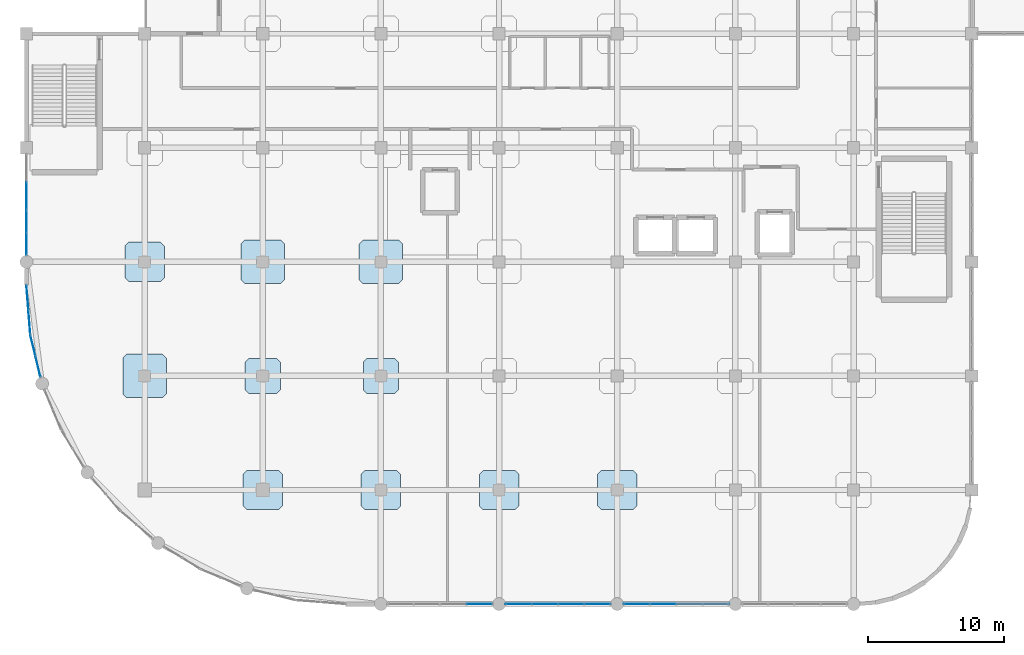
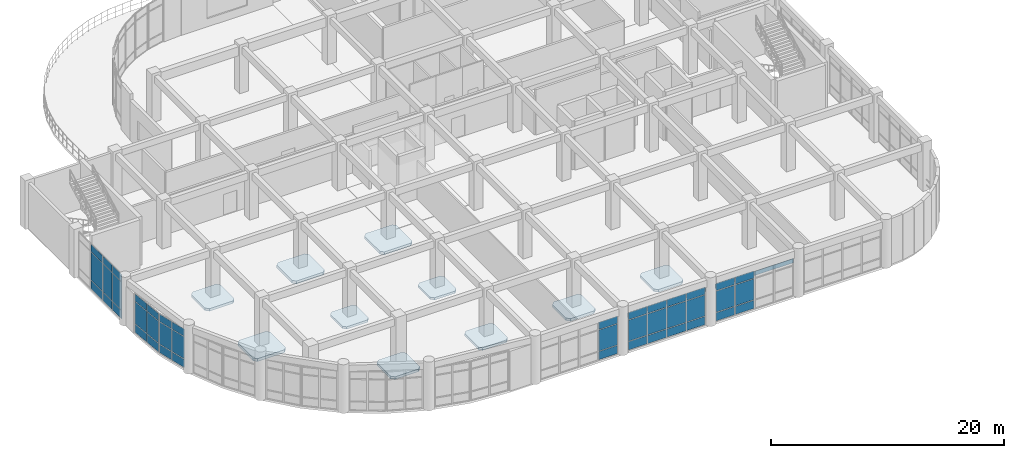
# One storey, part 86 of 120: 44 plates, 10 slabs, 7 elements without a shape of their own.
"""IFC4 building model written with IfcOpenShell, lengths in metres."""

from ifc_helpers import new_model, si_unit, derived_unit, direction, frame, origin, origin_2d, place, context, subcontext, project, spatial, polyline, rectangle, outline, extrude, material, layer, layer_set, type_object, element, aggregate, save


model = new_model("IFC4")

# Units and contexts
model_context = context("Model", 3, precision=1e-05, world=origin(), true_north=direction((0.0, 1.0)))
body_context = subcontext(model_context, "Body", "Model", "MODEL_VIEW")
ifc_project = project(units=[si_unit("LENGTHUNIT", "METRE"), si_unit("AREAUNIT", "SQUARE_METRE"), si_unit("VOLUMEUNIT", "CUBIC_METRE"), si_unit("PLANEANGLEUNIT", "RADIAN"), si_unit("MASSUNIT", "GRAM", prefix="KILO"), derived_unit("THERMALTRANSMITTANCEUNIT", [(si_unit("MASSUNIT", "GRAM", prefix="KILO"), 1), (si_unit("TIMEUNIT", "SECOND"), -3), (si_unit("THERMODYNAMICTEMPERATUREUNIT", "KELVIN"), -1)])], contexts=[model_context])

# Site, building, storey
site_placement = place(None, origin())
site = spatial("IfcSite", under=ifc_project, at=site_placement, CompositionType="ELEMENT")
building_placement = place(site_placement, origin())
building = spatial("IfcBuilding", under=site, at=building_placement, Name="Qinzheling Arcade Emporium", CompositionType="ELEMENT")
storey_placement = place(building_placement, frame((0.0, 0.0, 11.39990234375)))
storey = spatial("IfcBuildingStorey", under=building, at=storey_placement, Name="L03", CompositionType="ELEMENT", Elevation=11.39990234375)

# Slabs
ifc_material_1 = material(Name="Concrete C40", Category="concrete")
ifc_layer_1 = layer(ifc_material_1, 0.235107421875, Name="Concrete C40", Category="concrete")
ifc_layer_set_1 = layer_set([ifc_layer_1], Name="Concrete C40")
slab_type_1 = type_object("IfcSlabType", Name="Column Head Drop Panel 2600x2600x235 C40", PredefinedType="USERDEFINED", material=ifc_layer_set_1)
slab_1_placement = place(storey_placement, frame((0.0, 0.0, -0.514892578125)))
element("IfcSlab", 1, at=slab_1_placement, inside=storey, type_object=slab_type_1, Name="Column Drop Panel DP-L03-3-C", ObjectType="DROP_PANEL", PredefinedType="USERDEFINED", context=body_context, shape_type="SweptSolid", body=[
    extrude(outline(polyline([(16.3798828125, 15.5), (18.419921875, 15.5), (18.699951171875, 15.780029296875), (18.699951171875, 17.820068359375), (18.419921875, 18.10009765625), (16.3798828125, 18.10009765625), (16.10009765625, 17.820068359375), (16.10009765625, 15.780029296875), (16.3798828125, 15.5)])), origin(), (0.0, 0.0, 1.0), 0.235107421875),
])
slab_2_placement = place(storey_placement, frame((0.0, 0.0, -0.514892578125)))
element("IfcSlab", 2, at=slab_2_placement, inside=storey, type_object=slab_type_1, Name="Column Drop Panel DP-L03-4-C", ObjectType="DROP_PANEL", PredefinedType="USERDEFINED", context=body_context, shape_type="SweptSolid", body=[
    extrude(outline(polyline([(25.080078125, 15.5), (27.1201171875, 15.5), (27.39990234375, 15.780029296875), (27.39990234375, 17.820068359375), (27.1201171875, 18.10009765625), (25.080078125, 18.10009765625), (24.800048828125, 17.820068359375), (24.800048828125, 15.780029296875), (25.080078125, 15.5)])), origin(), (0.0, 0.0, 1.0), 0.235107421875),
])
ifc_layer_2 = layer(ifc_material_1, 0.27001953125, Name="Concrete C40", Category="concrete")
ifc_layer_set_2 = layer_set([ifc_layer_2], Name="Concrete C40")
slab_type_2 = type_object("IfcSlabType", Name="Column Head Drop Panel 2900x2900x270 C40", PredefinedType="USERDEFINED", material=ifc_layer_set_2)
slab_3_placement = place(storey_placement, frame((0.0, 0.0, -0.5498046875)))
element("IfcSlab", 3, at=slab_3_placement, inside=storey, type_object=slab_type_2, Name="Column Drop Panel DP-L03-2-D", ObjectType="DROP_PANEL", PredefinedType="USERDEFINED", context=body_context, shape_type="SweptSolid", body=[
    extrude(outline(polyline([(7.530029296875, 23.75), (9.8701171875, 23.75), (10.14990234375, 24.030029296875), (10.14990234375, 26.3701171875), (9.8701171875, 26.64990234375), (7.530029296875, 26.64990234375), (7.25, 26.3701171875), (7.25, 24.030029296875), (7.530029296875, 23.75)])), origin(), (0.0, 0.0, 1.0), 0.27001953125),
])
slab_4_placement = place(storey_placement, frame((0.0, 0.0, -0.5498046875)))
element("IfcSlab", 4, at=slab_4_placement, inside=storey, type_object=slab_type_2, Name="Column Drop Panel DP-L03-3-B", ObjectType="DROP_PANEL", PredefinedType="USERDEFINED", context=body_context, shape_type="SweptSolid", body=[
    extrude(outline(polyline([(16.22998046875, 6.949951171875), (18.570068359375, 6.949951171875), (18.85009765625, 7.22998046875), (18.85009765625, 9.570068359375), (18.570068359375, 9.85009765625), (16.22998046875, 9.85009765625), (15.949951171875, 9.570068359375), (15.949951171875, 7.22998046875), (16.22998046875, 6.949951171875)])), origin(), (0.0, 0.0, 1.0), 0.27001953125),
])
slab_5_placement = place(storey_placement, frame((0.0, 0.0, -0.5498046875)))
element("IfcSlab", 5, at=slab_5_placement, inside=storey, type_object=slab_type_2, Name="Column Drop Panel DP-L03-4-B", ObjectType="DROP_PANEL", PredefinedType="USERDEFINED", context=body_context, shape_type="SweptSolid", body=[
    extrude(outline(polyline([(24.929931640625, 6.949951171875), (27.27001953125, 6.949951171875), (27.550048828125, 7.22998046875), (27.550048828125, 9.570068359375), (27.27001953125, 9.85009765625), (24.929931640625, 9.85009765625), (24.64990234375, 9.570068359375), (24.64990234375, 7.22998046875), (24.929931640625, 6.949951171875)])), origin(), (0.0, 0.0, 1.0), 0.27001953125),
])
slab_6_placement = place(storey_placement, frame((0.0, 0.0, -0.5498046875)))
element("IfcSlab", 6, at=slab_6_placement, inside=storey, type_object=slab_type_2, Name="Column Drop Panel DP-L03-5-B", ObjectType="DROP_PANEL", PredefinedType="USERDEFINED", context=body_context, shape_type="SweptSolid", body=[
    extrude(outline(polyline([(33.6298828125, 6.949951171875), (35.969970703125, 6.949951171875), (36.25, 7.22998046875), (36.25, 9.570068359375), (35.969970703125, 9.85009765625), (33.6298828125, 9.85009765625), (33.35009765625, 9.570068359375), (33.35009765625, 7.22998046875), (33.6298828125, 6.949951171875)])), origin(), (0.0, 0.0, 1.0), 0.27001953125),
])
slab_7_placement = place(storey_placement, frame((0.0, 0.0, -0.5498046875)))
element("IfcSlab", 7, at=slab_7_placement, inside=storey, type_object=slab_type_2, Name="Column Drop Panel DP-L03-6-B", ObjectType="DROP_PANEL", PredefinedType="USERDEFINED", context=body_context, shape_type="SweptSolid", body=[
    extrude(outline(polyline([(42.330078125, 6.949951171875), (44.669921875, 6.949951171875), (44.949951171875, 7.22998046875), (44.949951171875, 9.570068359375), (44.669921875, 9.85009765625), (42.330078125, 9.85009765625), (42.050048828125, 9.570068359375), (42.050048828125, 7.22998046875), (42.330078125, 6.949951171875)])), origin(), (0.0, 0.0, 1.0), 0.27001953125),
])
ifc_layer_3 = layer(ifc_material_1, 0.300048828125, Name="Concrete C40", Category="concrete")
ifc_layer_set_3 = layer_set([ifc_layer_3], Name="Concrete C40")
slab_type_3 = type_object("IfcSlabType", Name="Column Head Drop Panel 3200x3200x300 C40", PredefinedType="USERDEFINED", material=ifc_layer_set_3)
slab_8_placement = place(storey_placement, frame((0.0, 0.0, -0.579833984375)))
element("IfcSlab", 8, at=slab_8_placement, inside=storey, type_object=slab_type_3, Name="Column Drop Panel DP-L03-2-C", ObjectType="DROP_PANEL", PredefinedType="USERDEFINED", context=body_context, shape_type="SweptSolid", body=[
    extrude(outline(polyline([(7.3798828125, 15.199951171875), (10.02001953125, 15.199951171875), (10.300048828125, 15.47998046875), (10.300048828125, 18.1201171875), (10.02001953125, 18.39990234375), (7.3798828125, 18.39990234375), (7.10009765625, 18.1201171875), (7.10009765625, 15.47998046875), (7.3798828125, 15.199951171875)])), origin(), (0.0, 0.0, 1.0), 0.300048828125),
])
slab_9_placement = place(storey_placement, frame((0.0, 0.0, -0.579833984375)))
element("IfcSlab", 9, at=slab_9_placement, inside=storey, type_object=slab_type_3, Name="Column Drop Panel DP-L03-3-D", ObjectType="DROP_PANEL", PredefinedType="USERDEFINED", context=body_context, shape_type="SweptSolid", body=[
    extrude(outline(polyline([(16.080078125, 23.60009765625), (18.719970703125, 23.60009765625), (19.0, 23.8798828125), (19.0, 26.52001953125), (18.719970703125, 26.800048828125), (16.080078125, 26.800048828125), (15.800048828125, 26.52001953125), (15.800048828125, 23.8798828125), (16.080078125, 23.60009765625)])), origin(), (0.0, 0.0, 1.0), 0.300048828125),
])
slab_10_placement = place(storey_placement, frame((0.0, 0.0, -0.579833984375)))
element("IfcSlab", 10, at=slab_10_placement, inside=storey, type_object=slab_type_3, Name="Column Drop Panel DP-L03-4-D", ObjectType="DROP_PANEL", PredefinedType="USERDEFINED", context=body_context, shape_type="SweptSolid", body=[
    extrude(outline(polyline([(24.780029296875, 23.60009765625), (27.419921875, 23.60009765625), (27.699951171875, 23.8798828125), (27.699951171875, 26.52001953125), (27.419921875, 26.800048828125), (24.780029296875, 26.800048828125), (24.5, 26.52001953125), (24.5, 23.8798828125), (24.780029296875, 23.60009765625)])), origin(), (0.0, 0.0, 1.0), 0.300048828125),
])

# Curtain wall, plates
ifc_material_2 = material(Name="Anodised aluminium and solar-control double glazing", Category="aluminium")
ifc_layer_4 = layer(ifc_material_2, 0.159912109375, Name="Anodised aluminium and solar-control double glazing", Category="aluminium")
ifc_layer_set_4 = layer_set([ifc_layer_4], Name="Anodised aluminium and solar-control double glazing")
curtain_wall_type_1 = type_object("IfcCurtainWallType", Name="Curved Ribbon Sales Curtain Wall", PredefinedType="NOTDEFINED", material=ifc_layer_set_4)
curtain_wall_1_placement = place(storey_placement, origin())
curtain_wall_1 = element("IfcCurtainWall", 11, at=curtain_wall_1_placement, inside=storey, type_object=curtain_wall_type_1, Name="Curtain Wall CW-L03-161", PredefinedType="NOTDEFINED")
ifc_material_3 = material(Name="Laminated solar-control double glazing", Category="glass")
ifc_layer_5 = layer(ifc_material_3, 0.02490234375, Name="Laminated solar-control double glazing", Category="glass")
ifc_layer_set_5 = layer_set([ifc_layer_5], Name="Laminated solar-control double glazing")
plate_type_1 = type_object("IfcPlateType", Name="Low-E Double Glazed Curtain Panel 25mm", PredefinedType="CURTAIN_PANEL", material=ifc_layer_set_5)
plate_1_placement = place(storey_placement, frame((0.847900390625, 17.4970703125, 0.06005859375), z_axis=(0.0, 0.0, 1.0), x_axis=(-0.233584975646, 0.972336391972, 0.0)))
plate_1 = element("IfcPlate", 12, at=plate_1_placement, type_object=plate_type_1, Name="CW02 panel 1.1", PredefinedType="CURTAIN_PANEL", context=body_context, shape_type="SweptSolid", body=[
    extrude(rectangle(XDim=1.515380859375, YDim=0.02490234375, at=origin_2d()), origin(), (0.0, 0.0, 1.0), 0.860107421875),
])
plate_2_placement = place(storey_placement, frame((0.847900390625, 17.4970703125, 0.980224609375), z_axis=(0.0, 0.0, 1.0), x_axis=(-0.233584975646, 0.972336391972, 0.0)))
plate_2 = element("IfcPlate", 13, at=plate_2_placement, type_object=plate_type_1, Name="CW02 panel 1.2", PredefinedType="CURTAIN_PANEL", context=body_context, shape_type="SweptSolid", body=[
    extrude(rectangle(XDim=1.515380859375, YDim=0.02490234375, at=origin_2d()), origin(), (0.0, 0.0, 1.0), 2.294921875),
])
plate_3_placement = place(storey_placement, frame((0.847900390625, 17.4970703125, 3.3349609375), z_axis=(0.0, 0.0, 1.0), x_axis=(-0.233584975646, 0.972336391972, 0.0)))
plate_3 = element("IfcPlate", 14, at=plate_3_placement, type_object=plate_type_1, Name="CW02 panel 1.3", PredefinedType="CURTAIN_PANEL", context=body_context, shape_type="SweptSolid", body=[
    extrude(rectangle(XDim=1.515380859375, YDim=0.02490234375, at=origin_2d()), origin(), (0.0, 0.0, 1.0), 0.760009765625),
])
plate_4_placement = place(storey_placement, frame((0.47998046875, 19.02880859375, 0.06005859375), z_axis=(0.0, 0.0, 1.0), x_axis=(-0.233584975646, 0.972336391972, 0.0)))
plate_4 = element("IfcPlate", 15, at=plate_4_placement, type_object=plate_type_1, Name="CW02 panel 2.1", PredefinedType="CURTAIN_PANEL", context=body_context, shape_type="SweptSolid", body=[
    extrude(rectangle(XDim=1.515380859375, YDim=0.02490234375, at=origin_2d()), origin(), (0.0, 0.0, 1.0), 0.860107421875),
])
plate_5_placement = place(storey_placement, frame((0.47998046875, 19.02880859375, 0.980224609375), z_axis=(0.0, 0.0, 1.0), x_axis=(-0.233584975646, 0.972336391972, 0.0)))
plate_5 = element("IfcPlate", 16, at=plate_5_placement, type_object=plate_type_1, Name="CW02 panel 2.2", PredefinedType="CURTAIN_PANEL", context=body_context, shape_type="SweptSolid", body=[
    extrude(rectangle(XDim=1.515380859375, YDim=0.02490234375, at=origin_2d()), origin(), (0.0, 0.0, 1.0), 2.294921875),
])
plate_6_placement = place(storey_placement, frame((0.47998046875, 19.02880859375, 3.3349609375), z_axis=(0.0, 0.0, 1.0), x_axis=(-0.233584975646, 0.972336391972, 0.0)))
plate_6 = element("IfcPlate", 17, at=plate_6_placement, type_object=plate_type_1, Name="CW02 panel 2.3", PredefinedType="CURTAIN_PANEL", context=body_context, shape_type="SweptSolid", body=[
    extrude(rectangle(XDim=1.515380859375, YDim=0.02490234375, at=origin_2d()), origin(), (0.0, 0.0, 1.0), 0.760009765625),
])
aggregate(curtain_wall_1, [plate_1, plate_2, plate_3, plate_4, plate_5, plate_6])

curtain_wall_2_placement = place(storey_placement, origin())
curtain_wall_2 = element("IfcCurtainWall", 18, at=curtain_wall_2_placement, inside=storey, type_object=curtain_wall_type_1, Name="Curtain Wall CW-L03-162", PredefinedType="NOTDEFINED")
ifc_layer_6 = layer(ifc_material_3, 0.02587890625, Name="Laminated solar-control double glazing", Category="glass")
ifc_layer_set_6 = layer_set([ifc_layer_6], Name="Laminated solar-control double glazing")
plate_type_2 = type_object("IfcPlateType", Name="Low-E Double Glazed Curtain Panel 26mm", PredefinedType="CURTAIN_PANEL", material=ifc_layer_set_6)
plate_7_placement = place(storey_placement, frame((0.215576171875, 20.758056640625, 0.06005859375), z_axis=(0.0, 0.0, 1.0), x_axis=(-0.078376222365, 0.996923852542, 0.0)))
plate_7 = element("IfcPlate", 19, at=plate_7_placement, type_object=plate_type_2, Name="CW02 panel 1.1", PredefinedType="CURTAIN_PANEL", context=body_context, shape_type="SweptSolid", body=[
    extrude(rectangle(XDim=1.753662109375, YDim=0.02587890625, at=origin_2d()), origin(), (0.0, 0.0, 1.0), 0.860107421875),
])
plate_8_placement = place(storey_placement, frame((0.215576171875, 20.758056640625, 0.980224609375), z_axis=(0.0, 0.0, 1.0), x_axis=(-0.078376222365, 0.996923852542, 0.0)))
plate_8 = element("IfcPlate", 20, at=plate_8_placement, type_object=plate_type_2, Name="CW02 panel 1.2", PredefinedType="CURTAIN_PANEL", context=body_context, shape_type="SweptSolid", body=[
    extrude(rectangle(XDim=1.753662109375, YDim=0.02587890625, at=origin_2d()), origin(), (0.0, 0.0, 1.0), 2.294921875),
])
plate_9_placement = place(storey_placement, frame((0.215576171875, 20.758056640625, 3.3349609375), z_axis=(0.0, 0.0, 1.0), x_axis=(-0.078376222365, 0.996923852542, 0.0)))
plate_9 = element("IfcPlate", 21, at=plate_9_placement, type_object=plate_type_2, Name="CW02 panel 1.3", PredefinedType="CURTAIN_PANEL", context=body_context, shape_type="SweptSolid", body=[
    extrude(rectangle(XDim=1.753662109375, YDim=0.02587890625, at=origin_2d()), origin(), (0.0, 0.0, 1.0), 0.760009765625),
])
plate_10_placement = place(storey_placement, frame((0.073486328125, 22.566162109375, 0.06005859375), z_axis=(0.0, 0.0, 1.0), x_axis=(-0.078376222365, 0.996923852542, 0.0)))
plate_10 = element("IfcPlate", 22, at=plate_10_placement, type_object=plate_type_2, Name="CW02 panel 2.1", PredefinedType="CURTAIN_PANEL", context=body_context, shape_type="SweptSolid", body=[
    extrude(rectangle(XDim=1.753662109375, YDim=0.02587890625, at=origin_2d()), origin(), (0.0, 0.0, 1.0), 0.860107421875),
])
plate_11_placement = place(storey_placement, frame((0.073486328125, 22.566162109375, 0.980224609375), z_axis=(0.0, 0.0, 1.0), x_axis=(-0.078376222365, 0.996923852542, 0.0)))
plate_11 = element("IfcPlate", 23, at=plate_11_placement, type_object=plate_type_2, Name="CW02 panel 2.2", PredefinedType="CURTAIN_PANEL", context=body_context, shape_type="SweptSolid", body=[
    extrude(rectangle(XDim=1.753662109375, YDim=0.02587890625, at=origin_2d()), origin(), (0.0, 0.0, 1.0), 2.294921875),
])
plate_12_placement = place(storey_placement, frame((0.073486328125, 22.566162109375, 3.3349609375), z_axis=(0.0, 0.0, 1.0), x_axis=(-0.078376222365, 0.996923852542, 0.0)))
plate_12 = element("IfcPlate", 24, at=plate_12_placement, type_object=plate_type_2, Name="CW02 panel 2.3", PredefinedType="CURTAIN_PANEL", context=body_context, shape_type="SweptSolid", body=[
    extrude(rectangle(XDim=1.753662109375, YDim=0.02587890625, at=origin_2d()), origin(), (0.0, 0.0, 1.0), 0.760009765625),
])
aggregate(curtain_wall_2, [plate_7, plate_8, plate_9, plate_10, plate_11, plate_12])

ifc_layer_7 = layer(ifc_material_2, 0.159912109375, Name="Anodised aluminium and solar-control double glazing", Category="aluminium")
ifc_layer_set_7 = layer_set([ifc_layer_7], Name="Anodised aluminium and solar-control double glazing")
curtain_wall_type_2 = type_object("IfcCurtainWallType", Name="Arcade Portal Glazed Curtain Wall", PredefinedType="NOTDEFINED", material=ifc_layer_set_7)
curtain_wall_3_placement = place(storey_placement, origin())
curtain_wall_3 = element("IfcCurtainWall", 25, at=curtain_wall_3_placement, inside=storey, type_object=curtain_wall_type_2, Name="Curtain Wall CW-L03-163", PredefinedType="NOTDEFINED")
ifc_layer_8 = layer(ifc_material_3, 0.027099609375, Name="Laminated solar-control double glazing", Category="glass")
ifc_layer_set_8 = layer_set([ifc_layer_8], Name="Laminated solar-control double glazing")
plate_type_3 = type_object("IfcPlateType", Name="Low-E Double Glazed Curtain Panel 27mm", PredefinedType="CURTAIN_PANEL", material=ifc_layer_set_8)
plate_13_placement = place(storey_placement, frame((0.0, 26.522705078125, 0.06005859375), z_axis=(0.0, 0.0, 1.0), x_axis=(0.0, 1.0, 0.0)))
plate_13 = element("IfcPlate", 26, at=plate_13_placement, type_object=plate_type_3, Name="CW05 panel 1.1", PredefinedType="CURTAIN_PANEL", context=body_context, shape_type="SweptSolid", body=[
    extrude(rectangle(XDim=1.571533203125, YDim=0.027099609375, at=origin_2d()), origin(), (0.0, 0.0, 1.0), 0.860107421875),
])
plate_14_placement = place(storey_placement, frame((0.0, 26.522705078125, 0.97998046875), z_axis=(0.0, 0.0, 1.0), x_axis=(0.0, 1.0, 0.0)))
plate_14 = element("IfcPlate", 27, at=plate_14_placement, type_object=plate_type_3, Name="CW05 panel 1.2", PredefinedType="CURTAIN_PANEL", context=body_context, shape_type="SweptSolid", body=[
    extrude(rectangle(XDim=1.571533203125, YDim=0.027099609375, at=origin_2d()), origin(), (0.0, 0.0, 1.0), 2.929931640625),
])
plate_15_placement = place(storey_placement, frame((0.0, 26.522705078125, 3.97021484375), z_axis=(0.0, 0.0, 1.0), x_axis=(0.0, 1.0, 0.0)))
plate_15 = element("IfcPlate", 28, at=plate_15_placement, type_object=plate_type_3, Name="CW05 panel 1.3", PredefinedType="CURTAIN_PANEL", context=body_context, shape_type="SweptSolid", body=[
    extrude(rectangle(XDim=1.571533203125, YDim=0.027099609375, at=origin_2d()), origin(), (0.0, 0.0, 1.0), 0.760009765625),
])
plate_16_placement = place(storey_placement, frame((0.0, 28.154296875, 0.06005859375), z_axis=(0.0, 0.0, 1.0), x_axis=(0.0, 1.0, 0.0)))
plate_16 = element("IfcPlate", 29, at=plate_16_placement, type_object=plate_type_3, Name="CW05 panel 2.1", PredefinedType="CURTAIN_PANEL", context=body_context, shape_type="SweptSolid", body=[
    extrude(rectangle(XDim=1.571533203125, YDim=0.027099609375, at=origin_2d()), origin(), (0.0, 0.0, 1.0), 0.860107421875),
])
plate_17_placement = place(storey_placement, frame((0.0, 28.154296875, 0.97998046875), z_axis=(0.0, 0.0, 1.0), x_axis=(0.0, 1.0, 0.0)))
plate_17 = element("IfcPlate", 30, at=plate_17_placement, type_object=plate_type_3, Name="CW05 panel 2.2", PredefinedType="CURTAIN_PANEL", context=body_context, shape_type="SweptSolid", body=[
    extrude(rectangle(XDim=1.571533203125, YDim=0.027099609375, at=origin_2d()), origin(), (0.0, 0.0, 1.0), 2.929931640625),
])
plate_18_placement = place(storey_placement, frame((0.0, 28.154296875, 3.97021484375), z_axis=(0.0, 0.0, 1.0), x_axis=(0.0, 1.0, 0.0)))
plate_18 = element("IfcPlate", 31, at=plate_18_placement, type_object=plate_type_3, Name="CW05 panel 2.3", PredefinedType="CURTAIN_PANEL", context=body_context, shape_type="SweptSolid", body=[
    extrude(rectangle(XDim=1.571533203125, YDim=0.027099609375, at=origin_2d()), origin(), (0.0, 0.0, 1.0), 0.760009765625),
])
aggregate(curtain_wall_3, [plate_13, plate_14, plate_15, plate_16, plate_17, plate_18])

curtain_wall_4_placement = place(storey_placement, origin())
curtain_wall_4 = element("IfcCurtainWall", 32, at=curtain_wall_4_placement, inside=storey, type_object=curtain_wall_type_2, Name="Curtain Wall CW-L03-164", PredefinedType="NOTDEFINED")
ifc_layer_9 = layer(ifc_material_3, 0.028076171875, Name="Laminated solar-control double glazing", Category="glass")
ifc_layer_set_9 = layer_set([ifc_layer_9], Name="Laminated solar-control double glazing")
plate_type_4 = type_object("IfcPlateType", Name="Low-E Double Glazed Curtain Panel 28mm", PredefinedType="CURTAIN_PANEL", material=ifc_layer_set_9)
plate_19_placement = place(storey_placement, frame((0.0, 30.052001953125, 0.06005859375), z_axis=(0.0, 0.0, 1.0), x_axis=(0.0, 1.0, 0.0)))
plate_19 = element("IfcPlate", 33, at=plate_19_placement, type_object=plate_type_4, Name="CW05 panel 1.1", PredefinedType="CURTAIN_PANEL", context=body_context, shape_type="SweptSolid", body=[
    extrude(rectangle(XDim=1.98388671875, YDim=0.028076171875, at=origin_2d()), origin(), (0.0, 0.0, 1.0), 0.860107421875),
])
plate_20_placement = place(storey_placement, frame((0.0, 30.052001953125, 0.97998046875), z_axis=(0.0, 0.0, 1.0), x_axis=(0.0, 1.0, 0.0)))
plate_20 = element("IfcPlate", 34, at=plate_20_placement, type_object=plate_type_4, Name="CW05 panel 1.2", PredefinedType="CURTAIN_PANEL", context=body_context, shape_type="SweptSolid", body=[
    extrude(rectangle(XDim=1.98388671875, YDim=0.028076171875, at=origin_2d()), origin(), (0.0, 0.0, 1.0), 2.929931640625),
])
plate_21_placement = place(storey_placement, frame((0.0, 30.052001953125, 3.97021484375), z_axis=(0.0, 0.0, 1.0), x_axis=(0.0, 1.0, 0.0)))
plate_21 = element("IfcPlate", 35, at=plate_21_placement, type_object=plate_type_4, Name="CW05 panel 1.3", PredefinedType="CURTAIN_PANEL", context=body_context, shape_type="SweptSolid", body=[
    extrude(rectangle(XDim=1.98388671875, YDim=0.028076171875, at=origin_2d()), origin(), (0.0, 0.0, 1.0), 0.760009765625),
])
aggregate(curtain_wall_4, [plate_19, plate_20, plate_21])

curtain_wall_5_placement = place(storey_placement, origin())
curtain_wall_5 = element("IfcCurtainWall", 36, at=curtain_wall_5_placement, inside=storey, type_object=curtain_wall_type_2, Name="Curtain Wall CW-L03-150", PredefinedType="NOTDEFINED")
ifc_layer_10 = layer(ifc_material_3, 0.030029296875, Name="Laminated solar-control double glazing", Category="glass")
ifc_layer_set_10 = layer_set([ifc_layer_10], Name="Laminated solar-control double glazing")
plate_type_5 = type_object("IfcPlateType", Name="Low-E Double Glazed Curtain Panel 30mm", PredefinedType="CURTAIN_PANEL", material=ifc_layer_set_10)
plate_22_placement = place(storey_placement, frame((46.8818359375, 0.0, 0.06005859375), z_axis=(0.0, 0.0, 1.0), x_axis=(-1.0, 0.0, 0.0)))
plate_22 = element("IfcPlate", 37, at=plate_22_placement, type_object=plate_type_5, Name="CW05 panel 3.1", PredefinedType="CURTAIN_PANEL", context=body_context, shape_type="SweptSolid", body=[
    extrude(rectangle(XDim=1.87646484375, YDim=0.030029296875, at=origin_2d()), origin(), (0.0, 0.0, 1.0), 0.860107421875),
])
plate_23_placement = place(storey_placement, frame((46.8818359375, 0.0, 0.97998046875), z_axis=(0.0, 0.0, 1.0), x_axis=(-1.0, 0.0, 0.0)))
plate_23 = element("IfcPlate", 38, at=plate_23_placement, type_object=plate_type_5, Name="CW05 panel 3.2", PredefinedType="CURTAIN_PANEL", context=body_context, shape_type="SweptSolid", body=[
    extrude(rectangle(XDim=1.87646484375, YDim=0.030029296875, at=origin_2d()), origin(), (0.0, 0.0, 1.0), 2.195068359375),
])
plate_24_placement = place(storey_placement, frame((46.8818359375, 0.0, 3.23486328125), z_axis=(0.0, 0.0, 1.0), x_axis=(-1.0, 0.0, 0.0)))
plate_24 = element("IfcPlate", 39, at=plate_24_placement, type_object=plate_type_5, Name="CW05 panel 3.3", PredefinedType="CURTAIN_PANEL", context=body_context, shape_type="SweptSolid", body=[
    extrude(rectangle(XDim=1.87646484375, YDim=0.030029296875, at=origin_2d()), origin(), (0.0, 0.0, 1.0), 0.760009765625),
])
plate_25_placement = place(storey_placement, frame((44.960205078125, 0.0, 0.06005859375), z_axis=(0.0, 0.0, 1.0), x_axis=(-1.0, 0.0, 0.0)))
plate_25 = element("IfcPlate", 40, at=plate_25_placement, type_object=plate_type_5, Name="CW05 panel 4.1", PredefinedType="CURTAIN_PANEL", context=body_context, shape_type="SweptSolid", body=[
    extrude(rectangle(XDim=1.846435546875, YDim=0.030029296875, at=origin_2d()), origin(), (0.0, 0.0, 1.0), 0.860107421875),
])
plate_26_placement = place(storey_placement, frame((44.960205078125, 0.0, 0.97998046875), z_axis=(0.0, 0.0, 1.0), x_axis=(-1.0, 0.0, 0.0)))
plate_26 = element("IfcPlate", 41, at=plate_26_placement, type_object=plate_type_5, Name="CW05 panel 4.2", PredefinedType="CURTAIN_PANEL", context=body_context, shape_type="SweptSolid", body=[
    extrude(rectangle(XDim=1.846435546875, YDim=0.030029296875, at=origin_2d()), origin(), (0.0, 0.0, 1.0), 2.195068359375),
])
plate_27_placement = place(storey_placement, frame((44.960205078125, 0.0, 3.23486328125), z_axis=(0.0, 0.0, 1.0), x_axis=(-1.0, 0.0, 0.0)))
plate_27 = element("IfcPlate", 42, at=plate_27_placement, type_object=plate_type_5, Name="CW05 panel 4.3", PredefinedType="CURTAIN_PANEL", context=body_context, shape_type="SweptSolid", body=[
    extrude(rectangle(XDim=1.846435546875, YDim=0.030029296875, at=origin_2d()), origin(), (0.0, 0.0, 1.0), 0.760009765625),
])
aggregate(curtain_wall_5, [plate_22, plate_23, plate_24, plate_25, plate_26, plate_27])

curtain_wall_6_placement = place(storey_placement, origin())
curtain_wall_6 = element("IfcCurtainWall", 43, at=curtain_wall_6_placement, inside=storey, type_object=curtain_wall_type_2, Name="Curtain Wall CW-L03-151", PredefinedType="NOTDEFINED")
ifc_layer_11 = layer(ifc_material_3, 0.031005859375, Name="Laminated solar-control double glazing", Category="glass")
ifc_layer_set_11 = layer_set([ifc_layer_11], Name="Laminated solar-control double glazing")
plate_type_6 = type_object("IfcPlateType", Name="Low-E Double Glazed Curtain Panel 31mm", PredefinedType="CURTAIN_PANEL", material=ifc_layer_set_11)
plate_28_placement = place(storey_placement, frame((42.039794921875, 0.0, 0.06005859375), z_axis=(0.0, 0.0, 1.0), x_axis=(-1.0, 0.0, 0.0)))
plate_28 = element("IfcPlate", 44, at=plate_28_placement, type_object=plate_type_6, Name="CW05 panel 1.1", PredefinedType="CURTAIN_PANEL", context=body_context, shape_type="SweptSolid", body=[
    extrude(rectangle(XDim=1.846435546875, YDim=0.031005859375, at=origin_2d()), origin(), (0.0, 0.0, 1.0), 0.860107421875),
])
plate_29_placement = place(storey_placement, frame((42.039794921875, 0.0, 0.97998046875), z_axis=(0.0, 0.0, 1.0), x_axis=(-1.0, 0.0, 0.0)))
plate_29 = element("IfcPlate", 45, at=plate_29_placement, type_object=plate_type_6, Name="CW05 panel 1.2", PredefinedType="CURTAIN_PANEL", context=body_context, shape_type="SweptSolid", body=[
    extrude(rectangle(XDim=1.846435546875, YDim=0.031005859375, at=origin_2d()), origin(), (0.0, 0.0, 1.0), 2.195068359375),
])
plate_30_placement = place(storey_placement, frame((42.039794921875, 0.0, 3.23486328125), z_axis=(0.0, 0.0, 1.0), x_axis=(-1.0, 0.0, 0.0)))
plate_30 = element("IfcPlate", 46, at=plate_30_placement, type_object=plate_type_6, Name="CW05 panel 1.3", PredefinedType="CURTAIN_PANEL", context=body_context, shape_type="SweptSolid", body=[
    extrude(rectangle(XDim=1.846435546875, YDim=0.031005859375, at=origin_2d()), origin(), (0.0, 0.0, 1.0), 0.760009765625),
])
plate_31_placement = place(storey_placement, frame((40.1181640625, 0.0, 0.06005859375), z_axis=(0.0, 0.0, 1.0), x_axis=(-1.0, 0.0, 0.0)))
plate_31 = element("IfcPlate", 47, at=plate_31_placement, type_object=plate_type_6, Name="CW05 panel 2.1", PredefinedType="CURTAIN_PANEL", context=body_context, shape_type="SweptSolid", body=[
    extrude(rectangle(XDim=1.87646484375, YDim=0.031005859375, at=origin_2d()), origin(), (0.0, 0.0, 1.0), 0.860107421875),
])
plate_32_placement = place(storey_placement, frame((40.1181640625, 0.0, 0.97998046875), z_axis=(0.0, 0.0, 1.0), x_axis=(-1.0, 0.0, 0.0)))
plate_32 = element("IfcPlate", 48, at=plate_32_placement, type_object=plate_type_6, Name="CW05 panel 2.2", PredefinedType="CURTAIN_PANEL", context=body_context, shape_type="SweptSolid", body=[
    extrude(rectangle(XDim=1.87646484375, YDim=0.031005859375, at=origin_2d()), origin(), (0.0, 0.0, 1.0), 2.195068359375),
])
plate_33_placement = place(storey_placement, frame((40.1181640625, 0.0, 3.23486328125), z_axis=(0.0, 0.0, 1.0), x_axis=(-1.0, 0.0, 0.0)))
plate_33 = element("IfcPlate", 49, at=plate_33_placement, type_object=plate_type_6, Name="CW05 panel 2.3", PredefinedType="CURTAIN_PANEL", context=body_context, shape_type="SweptSolid", body=[
    extrude(rectangle(XDim=1.87646484375, YDim=0.031005859375, at=origin_2d()), origin(), (0.0, 0.0, 1.0), 0.760009765625),
])
plate_34_placement = place(storey_placement, frame((38.181640625, 0.0, 0.06005859375), z_axis=(0.0, 0.0, 1.0), x_axis=(-1.0, 0.0, 0.0)))
plate_34 = element("IfcPlate", 50, at=plate_34_placement, type_object=plate_type_6, Name="CW05 panel 3.1", PredefinedType="CURTAIN_PANEL", context=body_context, shape_type="SweptSolid", body=[
    extrude(rectangle(XDim=1.87646484375, YDim=0.031005859375, at=origin_2d()), origin(), (0.0, 0.0, 1.0), 0.860107421875),
])
plate_35_placement = place(storey_placement, frame((38.181640625, 0.0, 0.97998046875), z_axis=(0.0, 0.0, 1.0), x_axis=(-1.0, 0.0, 0.0)))
plate_35 = element("IfcPlate", 51, at=plate_35_placement, type_object=plate_type_6, Name="CW05 panel 3.2", PredefinedType="CURTAIN_PANEL", context=body_context, shape_type="SweptSolid", body=[
    extrude(rectangle(XDim=1.87646484375, YDim=0.031005859375, at=origin_2d()), origin(), (0.0, 0.0, 1.0), 2.195068359375),
])
plate_36_placement = place(storey_placement, frame((38.181640625, 0.0, 3.23486328125), z_axis=(0.0, 0.0, 1.0), x_axis=(-1.0, 0.0, 0.0)))
plate_36 = element("IfcPlate", 52, at=plate_36_placement, type_object=plate_type_6, Name="CW05 panel 3.3", PredefinedType="CURTAIN_PANEL", context=body_context, shape_type="SweptSolid", body=[
    extrude(rectangle(XDim=1.87646484375, YDim=0.031005859375, at=origin_2d()), origin(), (0.0, 0.0, 1.0), 0.760009765625),
])
plate_37_placement = place(storey_placement, frame((36.26025390625, 0.0, 0.06005859375), z_axis=(0.0, 0.0, 1.0), x_axis=(-1.0, 0.0, 0.0)))
plate_37 = element("IfcPlate", 53, at=plate_37_placement, type_object=plate_type_6, Name="CW05 panel 4.1", PredefinedType="CURTAIN_PANEL", context=body_context, shape_type="SweptSolid", body=[
    extrude(rectangle(XDim=1.846435546875, YDim=0.031005859375, at=origin_2d()), origin(), (0.0, 0.0, 1.0), 0.860107421875),
])
plate_38_placement = place(storey_placement, frame((36.26025390625, 0.0, 0.97998046875), z_axis=(0.0, 0.0, 1.0), x_axis=(-1.0, 0.0, 0.0)))
plate_38 = element("IfcPlate", 54, at=plate_38_placement, type_object=plate_type_6, Name="CW05 panel 4.2", PredefinedType="CURTAIN_PANEL", context=body_context, shape_type="SweptSolid", body=[
    extrude(rectangle(XDim=1.846435546875, YDim=0.031005859375, at=origin_2d()), origin(), (0.0, 0.0, 1.0), 2.195068359375),
])
plate_39_placement = place(storey_placement, frame((36.26025390625, 0.0, 3.23486328125), z_axis=(0.0, 0.0, 1.0), x_axis=(-1.0, 0.0, 0.0)))
plate_39 = element("IfcPlate", 55, at=plate_39_placement, type_object=plate_type_6, Name="CW05 panel 4.3", PredefinedType="CURTAIN_PANEL", context=body_context, shape_type="SweptSolid", body=[
    extrude(rectangle(XDim=1.846435546875, YDim=0.031005859375, at=origin_2d()), origin(), (0.0, 0.0, 1.0), 0.760009765625),
])
aggregate(curtain_wall_6, [plate_28, plate_29, plate_30, plate_31, plate_32, plate_33, plate_34, plate_35, plate_36, plate_37, plate_38, plate_39])

curtain_wall_7_placement = place(storey_placement, origin())
curtain_wall_7 = element("IfcCurtainWall", 56, at=curtain_wall_7_placement, inside=storey, type_object=curtain_wall_type_2, Name="Curtain Wall CW-L03-152", PredefinedType="NOTDEFINED")
ifc_layer_12 = layer(ifc_material_3, 0.031982421875, Name="Laminated solar-control double glazing", Category="glass")
ifc_layer_set_12 = layer_set([ifc_layer_12], Name="Laminated solar-control double glazing")
plate_type_7 = type_object("IfcPlateType", Name="Low-E Double Glazed Curtain Panel 32mm", PredefinedType="CURTAIN_PANEL", material=ifc_layer_set_12)
plate_40_placement = place(storey_placement, frame((33.33984375, 0.0, 0.06005859375), z_axis=(0.0, 0.0, 1.0), x_axis=(-1.0, 0.0, 0.0)))
plate_40 = element("IfcPlate", 57, at=plate_40_placement, type_object=plate_type_7, Name="CW05 panel 1.1", PredefinedType="CURTAIN_PANEL", context=body_context, shape_type="SweptSolid", body=[
    extrude(rectangle(XDim=1.846435546875, YDim=0.031982421875, at=origin_2d()), origin(), (0.0, 0.0, 1.0), 0.860107421875),
])
plate_41_placement = place(storey_placement, frame((33.33984375, 0.0, 0.97998046875), z_axis=(0.0, 0.0, 1.0), x_axis=(-1.0, 0.0, 0.0)))
plate_41 = element("IfcPlate", 58, at=plate_41_placement, type_object=plate_type_7, Name="CW05 panel 1.2", PredefinedType="CURTAIN_PANEL", context=body_context, shape_type="SweptSolid", body=[
    extrude(rectangle(XDim=1.846435546875, YDim=0.031982421875, at=origin_2d()), origin(), (0.0, 0.0, 1.0), 2.195068359375),
])
plate_42_placement = place(storey_placement, frame((33.33984375, 0.0, 3.23486328125), z_axis=(0.0, 0.0, 1.0), x_axis=(-1.0, 0.0, 0.0)))
plate_42 = element("IfcPlate", 59, at=plate_42_placement, type_object=plate_type_7, Name="CW05 panel 1.3", PredefinedType="CURTAIN_PANEL", context=body_context, shape_type="SweptSolid", body=[
    extrude(rectangle(XDim=1.846435546875, YDim=0.031982421875, at=origin_2d()), origin(), (0.0, 0.0, 1.0), 0.760009765625),
])
aggregate(curtain_wall_7, [plate_40, plate_41, plate_42])

# Plates
ifc_material_4 = material(Name="Perforated anodised aluminium sheet", Category="aluminium")
ifc_layer_13 = layer(ifc_material_4, 0.011962890625, Name="Perforated anodised aluminium sheet", Category="aluminium")
ifc_layer_set_13 = layer_set([ifc_layer_13], Name="Perforated anodised aluminium sheet")
plate_type_8 = type_object("IfcPlateType", Name="Typhoon Storm Louvre Blade 12mm", PredefinedType="SHEET", material=ifc_layer_set_13)
plate_43_placement = place(storey_placement, frame((39.14990234375, 0.0, 3.47998046875), z_axis=(0.0, 0.0, 1.0), x_axis=(-1.0, 0.0, 0.0)))
element("IfcPlate", 60, at=plate_43_placement, inside=storey, type_object=plate_type_8, Name="Storm Louvre PLT-SLV-L03-036", PredefinedType="SHEET", context=body_context, shape_type="SweptSolid", body=[
    extrude(rectangle(XDim=7.77587890625, YDim=0.011962890625, at=origin_2d()), origin(), (0.0, 0.0, 1.0), 0.449951171875),
])
ifc_layer_14 = layer(ifc_material_4, 0.02001953125, Name="Perforated anodised aluminium sheet", Category="aluminium")
ifc_layer_set_14 = layer_set([ifc_layer_14], Name="Perforated anodised aluminium sheet")
plate_type_9 = type_object("IfcPlateType", Name="Typhoon Storm Louvre Blade 20mm", PredefinedType="SHEET", material=ifc_layer_set_14)
plate_44_placement = place(storey_placement, frame((47.85009765625, 0.0, 3.47998046875), z_axis=(0.0, 0.0, 1.0), x_axis=(-1.0, 0.0, 0.0)))
element("IfcPlate", 61, at=plate_44_placement, inside=storey, type_object=plate_type_9, Name="Storm Louvre PLT-SLV-L03-035", PredefinedType="SHEET", context=body_context, shape_type="SweptSolid", body=[
    extrude(rectangle(XDim=7.77587890625, YDim=0.02001953125, at=origin_2d()), origin(), (0.0, 0.0, 1.0), 0.449951171875),
])

save(model, "model.ifc")
